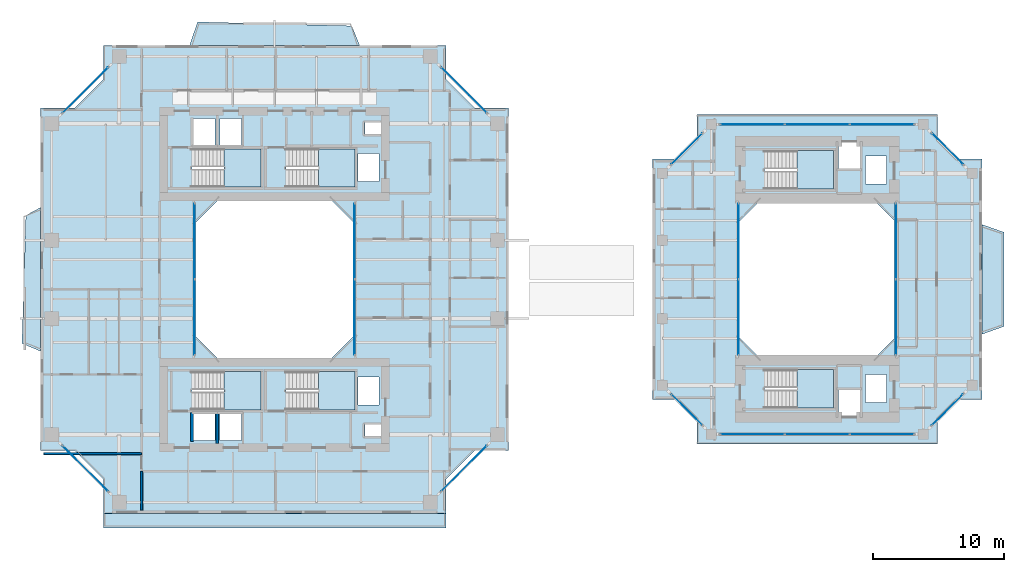
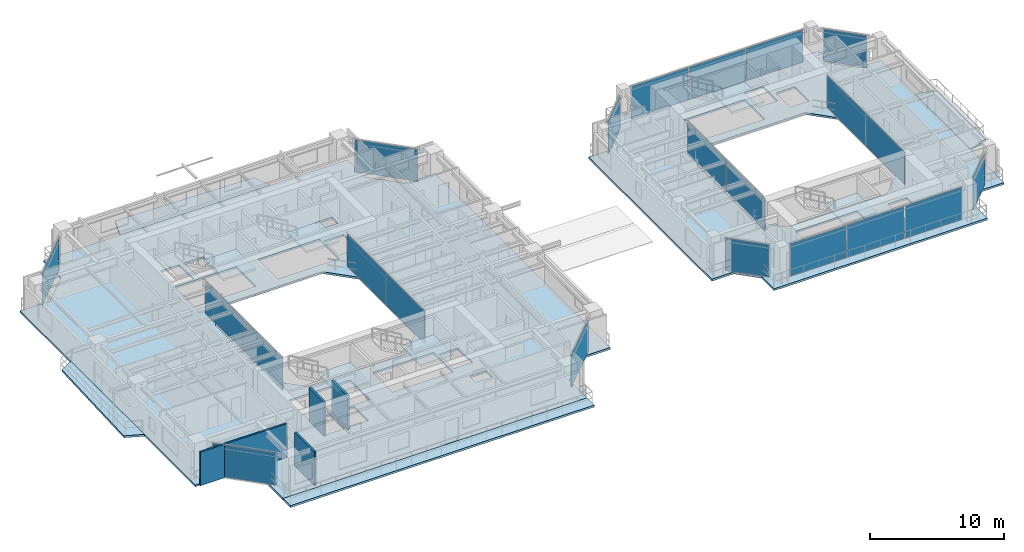
# One storey, part 12 of 23: 22 plates, 12 slabs, 4 walls, 20 elements without a shape of their own.
"""IFC4 building model written with IfcOpenShell, lengths in metres."""

from ifc_helpers import new_model, si_unit, direction, frame, frame_2d, origin, origin_2d, place, context, subcontext, project, spatial, polyline, rectangle, outline, extrude, source, transform, mapped, material, layer, layer_set, type_object, element, aggregate, save


model = new_model("IFC4")

# Units and contexts
model_context = context("Model", 3, precision=1e-05, world=origin(), true_north=direction((0.0, 1.0)))
body_context = subcontext(model_context, "Body", "Model", "MODEL_VIEW")
ifc_project = project(units=[si_unit("LENGTHUNIT", "METRE"), si_unit("AREAUNIT", "SQUARE_METRE"), si_unit("VOLUMEUNIT", "CUBIC_METRE"), si_unit("PLANEANGLEUNIT", "RADIAN"), si_unit("MASSUNIT", "GRAM", prefix="KILO"), si_unit("THERMODYNAMICTEMPERATUREUNIT", "KELVIN"), si_unit("POWERUNIT", "WATT")], contexts=[model_context])

# Site, building, storey
site_placement = place(None, origin())
site = spatial("IfcSite", under=ifc_project, at=site_placement, CompositionType="ELEMENT")
building_placement = place(site_placement, origin())
building = spatial("IfcBuilding", under=site, at=building_placement, Name="Qiaomeng Ring Towers", CompositionType="ELEMENT")
storey_placement = place(building_placement, frame((0.0, 0.0, 97.0)))
storey = spatial("IfcBuildingStorey", under=building, at=storey_placement, Name="L27", CompositionType="ELEMENT", Elevation=97.0)

# Slabs
ifc_material_1 = material(Name="Concrete C40", Category="concrete")
ifc_layer_1 = layer(ifc_material_1, 0.179931640625, Name="Concrete C40")
ifc_layer_set_1 = layer_set([ifc_layer_1], Name="Concrete C40")
slab_type_1 = type_object("IfcSlabType", Name="STR-SL-180", PredefinedType="FLOOR", material=ifc_layer_set_1)
slab_1_placement = place(storey_placement, frame((0.0, 0.0, -0.179931640625)))
element("IfcSlab", 1, at=slab_1_placement, inside=storey, type_object=slab_type_1, Name="L27 Tower 1 Annular Floor Slab", PredefinedType="FLOOR", context=body_context, shape_type="SweptSolid", body=[
    extrude(outline(polyline([(5.89990234375, 5.10009765625), (32.10009765625, 5.10009765625), (32.10009765625, 7.699951171875), (34.300048828125, 9.89990234375), (36.89990234375, 9.89990234375), (36.89990234375, 36.10009765625), (34.300048828125, 36.10009765625), (32.10009765625, 38.300048828125), (32.10009765625, 40.89990234375), (5.89990234375, 40.89990234375), (5.89990234375, 38.300048828125), (3.699951171875, 36.10009765625), (1.10009765625, 36.10009765625), (1.10009765625, 9.89990234375), (3.699951171875, 9.89990234375), (5.89990234375, 7.699951171875), (5.89990234375, 5.10009765625)]), holes=[polyline([(12.780029296875, 10.679931640625), (12.780029296875, 12.820068359375), (14.419921875, 12.820068359375), (14.419921875, 10.679931640625), (12.780029296875, 10.679931640625)]), polyline([(14.830078125, 12.820068359375), (16.469970703125, 12.820068359375), (16.469970703125, 10.679931640625), (14.830078125, 10.679931640625), (14.830078125, 12.820068359375)]), polyline([(12.679931640625, 15.949951171875), (17.949951171875, 15.949951171875), (17.949951171875, 13.010009765625), (12.679931640625, 13.010009765625), (12.679931640625, 15.949951171875)]), polyline([(23.199951171875, 29.199951171875), (25.199951171875, 27.199951171875), (25.199951171875, 18.800048828125), (23.199951171875, 16.800048828125), (14.800048828125, 16.800048828125), (12.800048828125, 18.800048828125), (12.800048828125, 27.199951171875), (14.800048828125, 29.199951171875), (23.199951171875, 29.199951171875)]), polyline([(12.679931640625, 32.989990234375), (17.949951171875, 32.989990234375), (17.949951171875, 30.050048828125), (12.679931640625, 30.050048828125), (12.679931640625, 32.989990234375)]), polyline([(12.780029296875, 35.320068359375), (14.419921875, 35.320068359375), (14.419921875, 33.179931640625), (12.780029296875, 33.179931640625), (12.780029296875, 35.320068359375)]), polyline([(14.830078125, 33.179931640625), (14.830078125, 35.320068359375), (16.469970703125, 35.320068359375), (16.469970703125, 33.179931640625), (14.830078125, 33.179931640625)]), polyline([(25.919921875, 11.89990234375), (27.360107421875, 11.89990234375), (27.360107421875, 11.0), (25.919921875, 11.0), (25.919921875, 11.89990234375)]), polyline([(25.360107421875, 15.52001953125), (27.0, 15.52001953125), (27.0, 13.3798828125), (25.360107421875, 13.3798828125), (25.360107421875, 15.52001953125)]), polyline([(19.8798828125, 15.949951171875), (25.14990234375, 15.949951171875), (25.14990234375, 13.010009765625), (19.8798828125, 13.010009765625), (19.8798828125, 15.949951171875)]), polyline([(19.8798828125, 32.989990234375), (25.14990234375, 32.989990234375), (25.14990234375, 30.050048828125), (19.8798828125, 30.050048828125), (19.8798828125, 32.989990234375)]), polyline([(25.360107421875, 32.6201171875), (27.0, 32.6201171875), (27.0, 30.47998046875), (25.360107421875, 30.47998046875), (25.360107421875, 32.6201171875)]), polyline([(25.919921875, 35.0), (27.360107421875, 35.0), (27.360107421875, 34.10009765625), (25.919921875, 34.10009765625), (25.919921875, 35.0)])]), origin(), (0.0, 0.0, 1.0), 0.179931640625),
])
slab_2_placement = place(storey_placement, frame((0.0, 0.0, -0.179931640625)))
element("IfcSlab", 2, at=slab_2_placement, inside=storey, type_object=slab_type_1, Name="L27 Companion Tower 2 Annular Floor Slab", PredefinedType="FLOOR", context=body_context, shape_type="SweptSolid", body=[
    extrude(outline(polyline([(51.300048828125, 10.39990234375), (69.699951171875, 10.39990234375), (69.699951171875, 12.300048828125), (71.199951171875, 13.800048828125), (73.10009765625, 13.800048828125), (73.10009765625, 32.199951171875), (71.199951171875, 32.199951171875), (69.699951171875, 33.699951171875), (69.699951171875, 35.60009765625), (51.300048828125, 35.60009765625), (51.300048828125, 33.699951171875), (49.800048828125, 32.199951171875), (47.89990234375, 32.199951171875), (47.89990234375, 13.800048828125), (49.800048828125, 13.800048828125), (51.300048828125, 12.300048828125), (51.300048828125, 10.39990234375)]), holes=[polyline([(62.1298828125, 12.3798828125), (62.1298828125, 14.52001953125), (63.77001953125, 14.52001953125), (63.77001953125, 12.3798828125), (62.1298828125, 12.3798828125)]), polyline([(56.47998046875, 13.159912109375), (56.47998046875, 16.10009765625), (61.75, 16.10009765625), (61.75, 13.159912109375), (56.47998046875, 13.159912109375)]), polyline([(64.179931640625, 13.580078125), (64.179931640625, 15.719970703125), (65.820068359375, 15.719970703125), (65.820068359375, 13.580078125), (64.179931640625, 13.580078125)]), polyline([(64.800048828125, 29.10009765625), (66.60009765625, 27.300048828125), (66.60009765625, 18.699951171875), (64.800048828125, 16.89990234375), (56.199951171875, 16.89990234375), (54.39990234375, 18.699951171875), (54.39990234375, 27.300048828125), (56.199951171875, 29.10009765625), (64.800048828125, 29.10009765625)]), polyline([(64.179931640625, 30.280029296875), (64.179931640625, 32.419921875), (65.820068359375, 32.419921875), (65.820068359375, 30.280029296875), (64.179931640625, 30.280029296875)]), polyline([(56.47998046875, 32.840087890625), (61.75, 32.840087890625), (61.75, 29.89990234375), (56.47998046875, 29.89990234375), (56.47998046875, 32.840087890625)]), polyline([(62.1298828125, 33.6201171875), (63.77001953125, 33.6201171875), (63.77001953125, 31.47998046875), (62.1298828125, 31.47998046875), (62.1298828125, 33.6201171875)])]), origin(), (0.0, 0.0, 1.0), 0.179931640625),
])
ifc_layer_2 = layer(ifc_material_1, 0.179931640625, Name="Concrete C40")
ifc_layer_set_2 = layer_set([ifc_layer_2], Name="Concrete C40")
slab_type_2 = type_object("IfcSlabType", Name="STR-SL-BAL", PredefinedType="FLOOR", material=ifc_layer_set_2)
slab_3_placement = place(storey_placement, frame((0.0, 0.0, -0.179931640625)))
element("IfcSlab", 3, at=slab_3_placement, inside=storey, type_object=slab_type_2, Name="L27 Tower 1 N Faceted Balcony Slab", PredefinedType="FLOOR", context=body_context, shape_type="SweptSolid", body=[
    extrude(outline(polyline([(12.5, 40.89990234375), (13.10009765625, 42.68994140625), (24.89990234375, 42.389892578125), (25.5, 40.89990234375), (12.5, 40.89990234375)])), origin(), (0.0, 0.0, 1.0), 0.179931640625),
])
slab_4_placement = place(storey_placement, frame((0.0, 0.0, -0.179931640625)))
element("IfcSlab", 4, at=slab_4_placement, inside=storey, type_object=slab_type_2, Name="L27 Tower 1 W Faceted Balcony Slab", PredefinedType="FLOOR", context=body_context, shape_type="SweptSolid", body=[
    extrude(outline(polyline([(-0.330078125, 18.10009765625), (-0.030029296875, 27.89990234375), (1.10009765625, 28.5), (1.10009765625, 17.5), (-0.330078125, 18.10009765625)])), origin(), (0.0, 0.0, 1.0), 0.179931640625),
])
slab_5_placement = place(storey_placement, frame((0.0, 0.0, -0.179931640625)))
element("IfcSlab", 5, at=slab_5_placement, inside=storey, type_object=slab_type_2, Name="L27 Companion East Faceted Balcony Slab", PredefinedType="FLOOR", context=body_context, shape_type="SweptSolid", body=[
    extrude(outline(polyline([(74.7900390625, 26.60009765625), (74.7900390625, 19.39990234375), (73.10009765625, 18.800048828125), (73.10009765625, 27.199951171875), (74.7900390625, 26.60009765625)])), origin(), (0.0, 0.0, 1.0), 0.179931640625),
])

# Stair, slab
ifc_material_2 = material(Name="Precast concrete C40", Category="concrete")
stair_type = type_object("IfcStairType", Name="ARC-ST-325", PredefinedType="HALF_TURN_STAIR", material=ifc_material_2)
stair_1_placement = place(storey_placement, origin())
stair_1 = element("IfcStair", 6, at=stair_1_placement, inside=storey, type_object=stair_type, Name="L27 Tower 1 North Stair 1", PredefinedType="HALF_TURN_STAIR")
ifc_layer_3 = layer(ifc_material_1, 0.199951171875, Name="Concrete C40")
ifc_layer_set_3 = layer_set([ifc_layer_3], Name="Concrete C40")
slab_type_3 = type_object("IfcSlabType", Name="STR-SL-LANDING", PredefinedType="LANDING", material=ifc_layer_set_3)
slab_6_placement = place(storey_placement, frame((0.0, 0.0, 1.425048828125)))
slab_6 = element("IfcSlab", 7, at=slab_6_placement, type_object=slab_type_3, Name="ST1 landing 1", PredefinedType="LANDING", context=body_context, shape_type="SweptSolid", body=[
    extrude(outline(polyline([(15.139892578125, 30.050048828125), (17.949951171875, 30.050048828125), (17.949951171875, 32.989990234375), (15.139892578125, 32.989990234375), (15.139892578125, 30.050048828125)])), origin(), (0.0, 0.0, 1.0), 0.199951171875),
])
aggregate(stair_1, [slab_6])

stair_2_placement = place(storey_placement, origin())
stair_2 = element("IfcStair", 8, at=stair_2_placement, inside=storey, type_object=stair_type, Name="L27 Tower 1 North Stair 2", PredefinedType="HALF_TURN_STAIR")
slab_7_placement = place(storey_placement, frame((0.0, 0.0, 1.425048828125)))
slab_7 = element("IfcSlab", 9, at=slab_7_placement, type_object=slab_type_3, Name="ST2 landing 1", PredefinedType="LANDING", context=body_context, shape_type="SweptSolid", body=[
    extrude(outline(polyline([(22.340087890625, 30.050048828125), (25.14990234375, 30.050048828125), (25.14990234375, 32.989990234375), (22.340087890625, 32.989990234375), (22.340087890625, 30.050048828125)])), origin(), (0.0, 0.0, 1.0), 0.199951171875),
])
aggregate(stair_2, [slab_7])

stair_3_placement = place(storey_placement, origin())
stair_3 = element("IfcStair", 10, at=stair_3_placement, inside=storey, type_object=stair_type, Name="L27 Tower 1 South Stair 3", PredefinedType="HALF_TURN_STAIR")
slab_8_placement = place(storey_placement, frame((0.0, 0.0, 1.425048828125)))
slab_8 = element("IfcSlab", 11, at=slab_8_placement, type_object=slab_type_3, Name="ST3 landing 1", PredefinedType="LANDING", context=body_context, shape_type="SweptSolid", body=[
    extrude(outline(polyline([(15.139892578125, 13.010009765625), (17.949951171875, 13.010009765625), (17.949951171875, 15.949951171875), (15.139892578125, 15.949951171875), (15.139892578125, 13.010009765625)])), origin(), (0.0, 0.0, 1.0), 0.199951171875),
])
aggregate(stair_3, [slab_8])

stair_4_placement = place(storey_placement, origin())
stair_4 = element("IfcStair", 12, at=stair_4_placement, inside=storey, type_object=stair_type, Name="L27 Tower 1 South Stair 4", PredefinedType="HALF_TURN_STAIR")
slab_9_placement = place(storey_placement, frame((0.0, 0.0, 1.425048828125)))
slab_9 = element("IfcSlab", 13, at=slab_9_placement, type_object=slab_type_3, Name="ST4 landing 1", PredefinedType="LANDING", context=body_context, shape_type="SweptSolid", body=[
    extrude(outline(polyline([(22.340087890625, 13.010009765625), (25.14990234375, 13.010009765625), (25.14990234375, 15.949951171875), (22.340087890625, 15.949951171875), (22.340087890625, 13.010009765625)])), origin(), (0.0, 0.0, 1.0), 0.199951171875),
])
aggregate(stair_4, [slab_9])

stair_5_placement = place(storey_placement, origin())
stair_5 = element("IfcStair", 14, at=stair_5_placement, inside=storey, type_object=stair_type, Name="L27 Companion North Stair 5", PredefinedType="HALF_TURN_STAIR")
slab_10_placement = place(storey_placement, frame((0.0, 0.0, 1.425048828125)))
slab_10 = element("IfcSlab", 15, at=slab_10_placement, type_object=slab_type_3, Name="ST5 landing 1", PredefinedType="LANDING", context=body_context, shape_type="SweptSolid", body=[
    extrude(outline(polyline([(58.93994140625, 29.89990234375), (61.75, 29.89990234375), (61.75, 32.840087890625), (58.93994140625, 32.840087890625), (58.93994140625, 29.89990234375)])), origin(), (0.0, 0.0, 1.0), 0.199951171875),
])
aggregate(stair_5, [slab_10])

stair_6_placement = place(storey_placement, origin())
stair_6 = element("IfcStair", 16, at=stair_6_placement, inside=storey, type_object=stair_type, Name="L27 Companion South Stair 6", PredefinedType="HALF_TURN_STAIR")
slab_11_placement = place(storey_placement, frame((0.0, 0.0, 1.425048828125)))
slab_11 = element("IfcSlab", 17, at=slab_11_placement, type_object=slab_type_3, Name="ST6 landing 1", PredefinedType="LANDING", context=body_context, shape_type="SweptSolid", body=[
    extrude(outline(polyline([(58.93994140625, 13.159912109375), (61.75, 13.159912109375), (61.75, 16.10009765625), (58.93994140625, 16.10009765625), (58.93994140625, 13.159912109375)])), origin(), (0.0, 0.0, 1.0), 0.199951171875),
])
aggregate(stair_6, [slab_11])

# Slab
ifc_layer_4 = layer(ifc_material_1, 0.179931640625, Name="Concrete C40")
ifc_layer_set_4 = layer_set([ifc_layer_4], Name="Concrete C40")
slab_type_4 = type_object("IfcSlabType", Name="STR-SL-TERR180", PredefinedType="FLOOR", material=ifc_layer_set_4)
slab_12_placement = place(storey_placement, frame((0.0, 0.0, -0.179931640625)))
element("IfcSlab", 18, at=slab_12_placement, inside=storey, type_object=slab_type_4, Name="L27 Tower 1 Setback Sky Terrace Slab", PredefinedType="FLOOR", context=body_context, shape_type="SweptSolid", body=[
    extrude(outline(polyline([(32.10009765625, 4.0), (5.89990234375, 4.0), (5.89990234375, 5.10009765625), (32.10009765625, 5.10009765625), (32.10009765625, 4.0)])), origin(), (0.0, 0.0, 1.0), 0.179931640625),
])

# Curtain wall, plates
ifc_material_3 = material(Name="Fluorocarbon dark-grey aluminium", Category="aluminium")
ifc_layer_5 = layer(ifc_material_3, 0.139892578125, Name="Fluorocarbon dark-grey aluminium")
ifc_layer_set_5 = layer_set([ifc_layer_5], Name="Fluorocarbon dark-grey aluminium")
curtain_wall_type_1 = type_object("IfcCurtainWallType", Name="ARC-CW-4", PredefinedType="NOTDEFINED", material=ifc_layer_set_5)
curtain_wall_1_placement = place(storey_placement, origin())
curtain_wall_1 = element("IfcCurtainWall", 19, at=curtain_wall_1_placement, inside=storey, type_object=curtain_wall_type_1, Name="L27 Curtain Wall CW4", PredefinedType="NOTDEFINED")
ifc_material_4 = material(Name="Low-E dark-grey laminated double glazing", Category="glass")
ifc_layer_6 = layer(ifc_material_4, 0.028076171875, Name="Low-E dark-grey laminated double glazing")
ifc_layer_set_6 = layer_set([ifc_layer_6], Name="Low-E dark-grey laminated double glazing")
plate_type = type_object("IfcPlateType", Name="ARC-CWP-DARK", PredefinedType="CURTAIN_PANEL", material=ifc_layer_set_6)
shared_shape_1 = source(origin(), body_context, "Body", "SweptSolid", [
    extrude(rectangle(XDim=5.75244140625, YDim=0.028076171875, at=origin_2d()), origin(), (0.0, 0.0, 1.0), 2.93994140625),
])
plate_1_placement = place(storey_placement, frame((12.8798828125, 20.09130859375, 0.06494140625), z_axis=(0.0, 0.0, 1.0), x_axis=(0.0, 1.0, 0.0)))
plate_1 = element("IfcPlate", 20, at=plate_1_placement, type_object=plate_type, Name="CW4 panel 1.1", PredefinedType="CURTAIN_PANEL", context=body_context, shape_type="MappedRepresentation", body=[
    mapped(shared_shape_1, transform((0.0, 0.0, 0.0), x_axis=(1.0, 0.0, 0.0), y_axis=(0.0, 1.0, 0.0), z_axis=(0.0, 0.0, 1.0), scale=1.0)),
])
plate_2_placement = place(storey_placement, frame((12.8798828125, 25.90869140625, 0.06494140625), z_axis=(0.0, 0.0, 1.0), x_axis=(0.0, 1.0, 0.0)))
plate_2 = element("IfcPlate", 21, at=plate_2_placement, type_object=plate_type, Name="CW4 panel 2.1", PredefinedType="CURTAIN_PANEL", context=body_context, shape_type="MappedRepresentation", body=[
    mapped(shared_shape_1, transform((0.0, 0.0, 0.0), x_axis=(1.0, 0.0, 0.0), y_axis=(0.0, 1.0, 0.0), z_axis=(0.0, 0.0, 1.0), scale=1.0)),
])
aggregate(curtain_wall_1, [plate_1, plate_2])

curtain_wall_2_placement = place(storey_placement, origin())
curtain_wall_2 = element("IfcCurtainWall", 22, at=curtain_wall_2_placement, inside=storey, type_object=curtain_wall_type_1, Name="L27 Curtain Wall CW4", PredefinedType="NOTDEFINED")
plate_3_placement = place(storey_placement, frame((25.1201171875, 20.09130859375, 0.06494140625), z_axis=(0.0, 0.0, 1.0), x_axis=(0.0, 1.0, 0.0)))
plate_3 = element("IfcPlate", 23, at=plate_3_placement, type_object=plate_type, Name="CW4 panel 1.1", PredefinedType="CURTAIN_PANEL", context=body_context, shape_type="MappedRepresentation", body=[
    mapped(shared_shape_1, transform((0.0, 0.0, 0.0), x_axis=(1.0, 0.0, 0.0), y_axis=(0.0, 1.0, 0.0), z_axis=(0.0, 0.0, 1.0), scale=1.0)),
])
plate_4_placement = place(storey_placement, frame((25.1201171875, 25.90869140625, 0.06494140625), z_axis=(0.0, 0.0, 1.0), x_axis=(0.0, 1.0, 0.0)))
plate_4 = element("IfcPlate", 24, at=plate_4_placement, type_object=plate_type, Name="CW4 panel 2.1", PredefinedType="CURTAIN_PANEL", context=body_context, shape_type="MappedRepresentation", body=[
    mapped(shared_shape_1, transform((0.0, 0.0, 0.0), x_axis=(1.0, 0.0, 0.0), y_axis=(0.0, 1.0, 0.0), z_axis=(0.0, 0.0, 1.0), scale=1.0)),
])
aggregate(curtain_wall_2, [plate_3, plate_4])

curtain_wall_3_placement = place(storey_placement, origin())
curtain_wall_3 = element("IfcCurtainWall", 25, at=curtain_wall_3_placement, inside=storey, type_object=curtain_wall_type_1, Name="L27 Curtain Wall CW4", PredefinedType="NOTDEFINED")
plate_5_placement = place(storey_placement, frame((54.47998046875, 20.09130859375, 0.06494140625), z_axis=(0.0, 0.0, 1.0), x_axis=(0.0, 1.0, 0.0)))
plate_5 = element("IfcPlate", 26, at=plate_5_placement, type_object=plate_type, Name="CW4 panel 1.1", PredefinedType="CURTAIN_PANEL", context=body_context, shape_type="MappedRepresentation", body=[
    mapped(shared_shape_1, transform((0.0, 0.0, 0.0), x_axis=(1.0, 0.0, 0.0), y_axis=(0.0, 1.0, 0.0), z_axis=(0.0, 0.0, 1.0), scale=1.0)),
])
plate_6_placement = place(storey_placement, frame((54.47998046875, 25.90869140625, 0.06494140625), z_axis=(0.0, 0.0, 1.0), x_axis=(0.0, 1.0, 0.0)))
plate_6 = element("IfcPlate", 27, at=plate_6_placement, type_object=plate_type, Name="CW4 panel 2.1", PredefinedType="CURTAIN_PANEL", context=body_context, shape_type="MappedRepresentation", body=[
    mapped(shared_shape_1, transform((0.0, 0.0, 0.0), x_axis=(1.0, 0.0, 0.0), y_axis=(0.0, 1.0, 0.0), z_axis=(0.0, 0.0, 1.0), scale=1.0)),
])
aggregate(curtain_wall_3, [plate_5, plate_6])

curtain_wall_4_placement = place(storey_placement, origin())
curtain_wall_4 = element("IfcCurtainWall", 28, at=curtain_wall_4_placement, inside=storey, type_object=curtain_wall_type_1, Name="L27 Curtain Wall CW4", PredefinedType="NOTDEFINED")
plate_7_placement = place(storey_placement, frame((66.52001953125, 20.09130859375, 0.06494140625), z_axis=(0.0, 0.0, 1.0), x_axis=(0.0, 1.0, 0.0)))
plate_7 = element("IfcPlate", 29, at=plate_7_placement, type_object=plate_type, Name="CW4 panel 1.1", PredefinedType="CURTAIN_PANEL", context=body_context, shape_type="MappedRepresentation", body=[
    mapped(shared_shape_1, transform((0.0, 0.0, 0.0), x_axis=(1.0, 0.0, 0.0), y_axis=(0.0, 1.0, 0.0), z_axis=(0.0, 0.0, 1.0), scale=1.0)),
])
plate_8_placement = place(storey_placement, frame((66.52001953125, 25.90869140625, 0.06494140625), z_axis=(0.0, 0.0, 1.0), x_axis=(0.0, 1.0, 0.0)))
plate_8 = element("IfcPlate", 30, at=plate_8_placement, type_object=plate_type, Name="CW4 panel 2.1", PredefinedType="CURTAIN_PANEL", context=body_context, shape_type="MappedRepresentation", body=[
    mapped(shared_shape_1, transform((0.0, 0.0, 0.0), x_axis=(1.0, 0.0, 0.0), y_axis=(0.0, 1.0, 0.0), z_axis=(0.0, 0.0, 1.0), scale=1.0)),
])
aggregate(curtain_wall_4, [plate_7, plate_8])

ifc_layer_7 = layer(ifc_material_3, 0.14990234375, Name="Fluorocarbon dark-grey aluminium")
ifc_layer_set_7 = layer_set([ifc_layer_7], Name="Fluorocarbon dark-grey aluminium")
curtain_wall_type_2 = type_object("IfcCurtainWallType", Name="ARC-CW-5", PredefinedType="NOTDEFINED", material=ifc_layer_set_7)
curtain_wall_5_placement = place(storey_placement, origin())
curtain_wall_5 = element("IfcCurtainWall", 31, at=curtain_wall_5_placement, inside=storey, type_object=curtain_wall_type_2, Name="L27 Curtain Wall CW5", PredefinedType="NOTDEFINED")
shared_shape_2 = source(origin(), body_context, "Body", "SweptSolid", [
    extrude(rectangle(XDim=4.868408203125, YDim=0.028076171875, at=origin_2d()), origin(), (0.0, 0.0, 1.0), 2.93994140625),
])
plate_9_placement = place(storey_placement, frame((55.544189453125, 34.85009765625, 0.06494140625), z_axis=(0.0, 0.0, 1.0), x_axis=(1.0, 0.0, 0.0)))
plate_9 = element("IfcPlate", 32, at=plate_9_placement, type_object=plate_type, Name="CW5 panel 1.1", PredefinedType="CURTAIN_PANEL", context=body_context, shape_type="MappedRepresentation", body=[
    mapped(shared_shape_2, transform((0.0, 0.0, 0.0), x_axis=(1.0, 0.0, 0.0), y_axis=(0.0, 1.0, 0.0), z_axis=(0.0, 0.0, 1.0), scale=1.0)),
])
plate_10_placement = place(storey_placement, frame((65.455810546875, 34.85009765625, 0.06494140625), z_axis=(0.0, 0.0, 1.0), x_axis=(1.0, 0.0, 0.0)))
plate_10 = element("IfcPlate", 33, at=plate_10_placement, type_object=plate_type, Name="CW5 panel 3.1", PredefinedType="CURTAIN_PANEL", context=body_context, shape_type="MappedRepresentation", body=[
    mapped(shared_shape_2, transform((0.0, 0.0, 0.0), x_axis=(1.0, 0.0, 0.0), y_axis=(0.0, 1.0, 0.0), z_axis=(0.0, 0.0, 1.0), scale=1.0)),
])

curtain_wall_6_placement = place(storey_placement, origin())
curtain_wall_6 = element("IfcCurtainWall", 34, at=curtain_wall_6_placement, inside=storey, type_object=curtain_wall_type_2, Name="L27 Curtain Wall CW5", PredefinedType="NOTDEFINED")
plate_11_placement = place(storey_placement, frame((55.544189453125, 11.14990234375, 0.06494140625), z_axis=(0.0, 0.0, 1.0), x_axis=(1.0, 0.0, 0.0)))
plate_11 = element("IfcPlate", 35, at=plate_11_placement, type_object=plate_type, Name="CW5 panel 1.1", PredefinedType="CURTAIN_PANEL", context=body_context, shape_type="MappedRepresentation", body=[
    mapped(shared_shape_2, transform((0.0, 0.0, 0.0), x_axis=(1.0, 0.0, 0.0), y_axis=(0.0, 1.0, 0.0), z_axis=(0.0, 0.0, 1.0), scale=1.0)),
])
plate_12_placement = place(storey_placement, frame((65.455810546875, 11.14990234375, 0.06494140625), z_axis=(0.0, 0.0, 1.0), x_axis=(1.0, 0.0, 0.0)))
plate_12 = element("IfcPlate", 36, at=plate_12_placement, type_object=plate_type, Name="CW5 panel 3.1", PredefinedType="CURTAIN_PANEL", context=body_context, shape_type="MappedRepresentation", body=[
    mapped(shared_shape_2, transform((0.0, 0.0, 0.0), x_axis=(1.0, 0.0, 0.0), y_axis=(0.0, 1.0, 0.0), z_axis=(0.0, 0.0, 1.0), scale=1.0)),
])

# Plate
shared_shape_3 = source(origin(), body_context, "Body", "SweptSolid", [
    extrude(rectangle(XDim=4.9033203125, YDim=0.028076171875, at=origin_2d()), origin(), (0.0, 0.0, 1.0), 2.93994140625),
])
plate_13_placement = place(storey_placement, frame((60.5, 34.85009765625, 0.06494140625), z_axis=(0.0, 0.0, 1.0), x_axis=(1.0, 0.0, 0.0)))
plate_13 = element("IfcPlate", 37, at=plate_13_placement, type_object=plate_type, Name="CW5 panel 2.1", PredefinedType="CURTAIN_PANEL", context=body_context, shape_type="MappedRepresentation", body=[
    mapped(shared_shape_3, transform((0.0, 0.0, 0.0), x_axis=(1.0, 0.0, 0.0), y_axis=(0.0, 1.0, 0.0), z_axis=(0.0, 0.0, 1.0), scale=1.0)),
])

aggregate(curtain_wall_5, [plate_9, plate_13, plate_10])

plate_14_placement = place(storey_placement, frame((60.5, 11.14990234375, 0.06494140625), z_axis=(0.0, 0.0, 1.0), x_axis=(1.0, 0.0, 0.0)))
plate_14 = element("IfcPlate", 38, at=plate_14_placement, type_object=plate_type, Name="CW5 panel 2.1", PredefinedType="CURTAIN_PANEL", context=body_context, shape_type="MappedRepresentation", body=[
    mapped(shared_shape_3, transform((0.0, 0.0, 0.0), x_axis=(1.0, 0.0, 0.0), y_axis=(0.0, 1.0, 0.0), z_axis=(0.0, 0.0, 1.0), scale=1.0)),
])

aggregate(curtain_wall_6, [plate_11, plate_14, plate_12])

# Curtain wall, plate
curtain_wall_7_placement = place(storey_placement, origin())
curtain_wall_7 = element("IfcCurtainWall", 39, at=curtain_wall_7_placement, inside=storey, type_object=curtain_wall_type_2, Name="L27 Curtain Wall CW5", PredefinedType="NOTDEFINED")
shared_shape_4 = source(origin(), body_context, "Body", "SweptSolid", [
    extrude(rectangle(XDim=3.35302734375, YDim=0.028076171875, at=origin_2d()), origin(), (0.0, 0.0, 1.0), 2.93994140625),
])
plate_15_placement = place(storey_placement, frame((70.47509765625, 13.02490234375, 0.06494140625), z_axis=(0.0, 0.0, 1.0), x_axis=(0.707106781187, 0.707106781187, 0.0)))
plate_15 = element("IfcPlate", 40, at=plate_15_placement, type_object=plate_type, Name="CW5 panel 1.1", PredefinedType="CURTAIN_PANEL", context=body_context, shape_type="MappedRepresentation", body=[
    mapped(shared_shape_4, transform((0.0, 0.0, 0.0), x_axis=(1.0, 0.0, 0.0), y_axis=(0.0, 1.0, 0.0), z_axis=(0.0, 0.0, 1.0), scale=1.0)),
])
aggregate(curtain_wall_7, [plate_15])

curtain_wall_8_placement = place(storey_placement, origin())
curtain_wall_8 = element("IfcCurtainWall", 41, at=curtain_wall_8_placement, inside=storey, type_object=curtain_wall_type_2, Name="L27 Curtain Wall CW5", PredefinedType="NOTDEFINED")
plate_16_placement = place(storey_placement, frame((70.47509765625, 32.97509765625, 0.06494140625), z_axis=(0.0, 0.0, 1.0), x_axis=(-0.707106781187, 0.707106781187, 0.0)))
plate_16 = element("IfcPlate", 42, at=plate_16_placement, type_object=plate_type, Name="CW5 panel 1.1", PredefinedType="CURTAIN_PANEL", context=body_context, shape_type="MappedRepresentation", body=[
    mapped(shared_shape_4, transform((0.0, 0.0, 0.0), x_axis=(1.0, 0.0, 0.0), y_axis=(0.0, 1.0, 0.0), z_axis=(0.0, 0.0, 1.0), scale=1.0)),
])
aggregate(curtain_wall_8, [plate_16])

curtain_wall_9_placement = place(storey_placement, origin())
curtain_wall_9 = element("IfcCurtainWall", 43, at=curtain_wall_9_placement, inside=storey, type_object=curtain_wall_type_2, Name="L27 Curtain Wall CW5", PredefinedType="NOTDEFINED")
plate_17_placement = place(storey_placement, frame((50.52490234375, 32.97509765625, 0.06494140625), z_axis=(0.0, 0.0, 1.0), x_axis=(-0.707106781187, -0.707106781187, 0.0)))
plate_17 = element("IfcPlate", 44, at=plate_17_placement, type_object=plate_type, Name="CW5 panel 1.1", PredefinedType="CURTAIN_PANEL", context=body_context, shape_type="MappedRepresentation", body=[
    mapped(shared_shape_4, transform((0.0, 0.0, 0.0), x_axis=(1.0, 0.0, 0.0), y_axis=(0.0, 1.0, 0.0), z_axis=(0.0, 0.0, 1.0), scale=1.0)),
])
aggregate(curtain_wall_9, [plate_17])

curtain_wall_10_placement = place(storey_placement, origin())
curtain_wall_10 = element("IfcCurtainWall", 45, at=curtain_wall_10_placement, inside=storey, type_object=curtain_wall_type_2, Name="L27 Curtain Wall CW5", PredefinedType="NOTDEFINED")
plate_18_placement = place(storey_placement, frame((50.52490234375, 13.02490234375, 0.06494140625), z_axis=(0.0, 0.0, 1.0), x_axis=(0.707106781187, -0.707106781187, 0.0)))
plate_18 = element("IfcPlate", 46, at=plate_18_placement, type_object=plate_type, Name="CW5 panel 1.1", PredefinedType="CURTAIN_PANEL", context=body_context, shape_type="MappedRepresentation", body=[
    mapped(shared_shape_4, transform((0.0, 0.0, 0.0), x_axis=(1.0, 0.0, 0.0), y_axis=(0.0, 1.0, 0.0), z_axis=(0.0, 0.0, 1.0), scale=1.0)),
])
aggregate(curtain_wall_10, [plate_18])

ifc_layer_8 = layer(ifc_material_3, 0.14990234375, Name="Fluorocarbon dark-grey aluminium")
ifc_layer_set_8 = layer_set([ifc_layer_8], Name="Fluorocarbon dark-grey aluminium")
curtain_wall_type_3 = type_object("IfcCurtainWallType", Name="ARC-CW-3", PredefinedType="NOTDEFINED", material=ifc_layer_set_8)
curtain_wall_11_placement = place(storey_placement, origin())
curtain_wall_11 = element("IfcCurtainWall", 47, at=curtain_wall_11_placement, inside=storey, type_object=curtain_wall_type_3, Name="L27 Curtain Wall CW3", PredefinedType="NOTDEFINED")
shared_shape_5 = source(origin(), body_context, "Body", "SweptSolid", [
    extrude(rectangle(XDim=4.90869140625, YDim=0.028076171875, at=origin_2d()), origin(), (0.0, 0.0, 1.0), 2.93994140625),
])
plate_19_placement = place(storey_placement, frame((33.47509765625, 8.52490234375, 0.06494140625), z_axis=(0.0, 0.0, 1.0), x_axis=(0.707106781187, 0.707106781187, 0.0)))
plate_19 = element("IfcPlate", 48, at=plate_19_placement, type_object=plate_type, Name="CW3 panel 1.1", PredefinedType="CURTAIN_PANEL", context=body_context, shape_type="MappedRepresentation", body=[
    mapped(shared_shape_5, transform((0.0, 0.0, 0.0), x_axis=(1.0, 0.0, 0.0), y_axis=(0.0, 1.0, 0.0), z_axis=(0.0, 0.0, 1.0), scale=1.0)),
])
aggregate(curtain_wall_11, [plate_19])

curtain_wall_12_placement = place(storey_placement, origin())
curtain_wall_12 = element("IfcCurtainWall", 49, at=curtain_wall_12_placement, inside=storey, type_object=curtain_wall_type_3, Name="L27 Curtain Wall CW3", PredefinedType="NOTDEFINED")
plate_20_placement = place(storey_placement, frame((33.47509765625, 37.47509765625, 0.06494140625), z_axis=(0.0, 0.0, 1.0), x_axis=(-0.707106781187, 0.707106781187, 0.0)))
plate_20 = element("IfcPlate", 50, at=plate_20_placement, type_object=plate_type, Name="CW3 panel 1.1", PredefinedType="CURTAIN_PANEL", context=body_context, shape_type="MappedRepresentation", body=[
    mapped(shared_shape_5, transform((0.0, 0.0, 0.0), x_axis=(1.0, 0.0, 0.0), y_axis=(0.0, 1.0, 0.0), z_axis=(0.0, 0.0, 1.0), scale=1.0)),
])
aggregate(curtain_wall_12, [plate_20])

curtain_wall_13_placement = place(storey_placement, origin())
curtain_wall_13 = element("IfcCurtainWall", 51, at=curtain_wall_13_placement, inside=storey, type_object=curtain_wall_type_3, Name="L27 Curtain Wall CW3", PredefinedType="NOTDEFINED")
plate_21_placement = place(storey_placement, frame((4.52490234375, 37.47509765625, 0.06494140625), z_axis=(0.0, 0.0, 1.0), x_axis=(-0.707106781187, -0.707106781187, 0.0)))
plate_21 = element("IfcPlate", 52, at=plate_21_placement, type_object=plate_type, Name="CW3 panel 1.1", PredefinedType="CURTAIN_PANEL", context=body_context, shape_type="MappedRepresentation", body=[
    mapped(shared_shape_5, transform((0.0, 0.0, 0.0), x_axis=(1.0, 0.0, 0.0), y_axis=(0.0, 1.0, 0.0), z_axis=(0.0, 0.0, 1.0), scale=1.0)),
])
aggregate(curtain_wall_13, [plate_21])

curtain_wall_14_placement = place(storey_placement, origin())
curtain_wall_14 = element("IfcCurtainWall", 53, at=curtain_wall_14_placement, inside=storey, type_object=curtain_wall_type_3, Name="L27 Curtain Wall CW3", PredefinedType="NOTDEFINED")
plate_22_placement = place(storey_placement, frame((4.52490234375, 8.52490234375, 0.06494140625), z_axis=(0.0, 0.0, 1.0), x_axis=(0.707106781187, -0.707106781187, 0.0)))
plate_22 = element("IfcPlate", 54, at=plate_22_placement, type_object=plate_type, Name="CW3 panel 1.1", PredefinedType="CURTAIN_PANEL", context=body_context, shape_type="MappedRepresentation", body=[
    mapped(shared_shape_5, transform((0.0, 0.0, 0.0), x_axis=(1.0, 0.0, 0.0), y_axis=(0.0, 1.0, 0.0), z_axis=(0.0, 0.0, 1.0), scale=1.0)),
])
aggregate(curtain_wall_14, [plate_22])

# Walls
ifc_material_5 = material(Name="Autoclaved aerated concrete block", Category="concrete")
ifc_layer_9 = layer(ifc_material_5, 0.199951171875, Name="Autoclaved aerated concrete block")
ifc_layer_set_9 = layer_set([ifc_layer_9], Name="Autoclaved aerated concrete block")
wall_type_1 = type_object("IfcWallType", Name="ARC-WL-PW1", PredefinedType="PARTITIONING", material=ifc_layer_set_9)
wall_1_placement = place(storey_placement, frame((12.679931640625, 10.60009765625, 0.0), z_axis=(0.0, 0.0, 1.0), x_axis=(0.0, 1.0, 0.0)))
element("IfcWall", 55, at=wall_1_placement, inside=storey, type_object=wall_type_1, Name="L27 Interior Wall PW1", PredefinedType="PARTITIONING", context=body_context, shape_type="SweptSolid", body=[
    extrude(rectangle(XDim=2.2099609375, YDim=0.199951171875, at=frame_2d((1.10498046875, 0.0))), origin(), (0.0, 0.0, 1.0), 3.070068359375),
])
ifc_material_6 = material(Name="Gypsum fireboard steel-stud partition", Category="steel")
ifc_layer_10 = layer(ifc_material_6, 0.14990234375, Name="Gypsum fireboard steel-stud partition")
ifc_layer_set_10 = layer_set([ifc_layer_10], Name="Gypsum fireboard steel-stud partition")
wall_type_2 = type_object("IfcWallType", Name="ARC-WL-PW3", PredefinedType="PARTITIONING", material=ifc_layer_set_10)
wall_2_placement = place(storey_placement, frame((8.820068359375, 5.35009765625, 0.0), z_axis=(0.0, 0.0, 1.0), x_axis=(0.0, 1.0, 0.0)))
element("IfcWall", 56, at=wall_2_placement, inside=storey, type_object=wall_type_2, Name="L27 Interior Wall PW3", PredefinedType="PARTITIONING", context=body_context, shape_type="SweptSolid", body=[
    extrude(rectangle(XDim=2.9599609375, YDim=0.14990234375, at=frame_2d((1.47998046875, 0.0))), origin(), (0.0, 0.0, 1.0), 3.070068359375),
])
wall_3_placement = place(storey_placement, frame((1.35009765625, 9.669921875, 0.0), z_axis=(0.0, 0.0, 1.0), x_axis=(1.0, 0.0, 0.0)))
element("IfcWall", 57, at=wall_3_placement, inside=storey, type_object=wall_type_2, Name="L27 Interior Wall PW3", PredefinedType="PARTITIONING", context=body_context, shape_type="SweptSolid", body=[
    extrude(rectangle(XDim=7.469970703125, YDim=0.14990234375, at=frame_2d((3.73486328125, 0.0))), origin(), (0.0, 0.0, 1.0), 3.070068359375),
])
ifc_layer_11 = layer(ifc_material_1, 0.199951171875, Name="Concrete C40")
ifc_layer_set_11 = layer_set([ifc_layer_11], Name="Concrete C40")
wall_type_3 = type_object("IfcWallType", Name="STR-WL-STSHAFT", PredefinedType="SHEAR", material=ifc_layer_set_11)
wall_4_placement = place(storey_placement, frame((14.6201171875, 10.449951171875, 0.0), z_axis=(0.0, 0.0, 1.0), x_axis=(0.0, 1.0, 0.0)))
element("IfcWall", 58, at=wall_4_placement, inside=storey, type_object=wall_type_3, Name="L27 Lift LP6-LP4 Shaft Divider Wall", PredefinedType="SHEAR", context=body_context, shape_type="SweptSolid", body=[
    extrude(rectangle(XDim=2.35009765625, YDim=0.179931640625, at=frame_2d((1.175048828125, 0.0))), origin(), (0.0, 0.0, 1.0), 3.070068359375),
])

save(model, "model.ifc")
